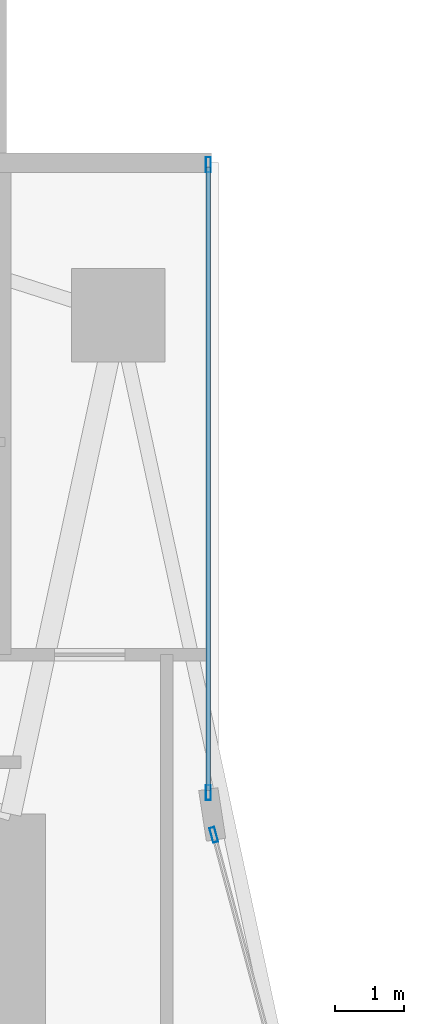
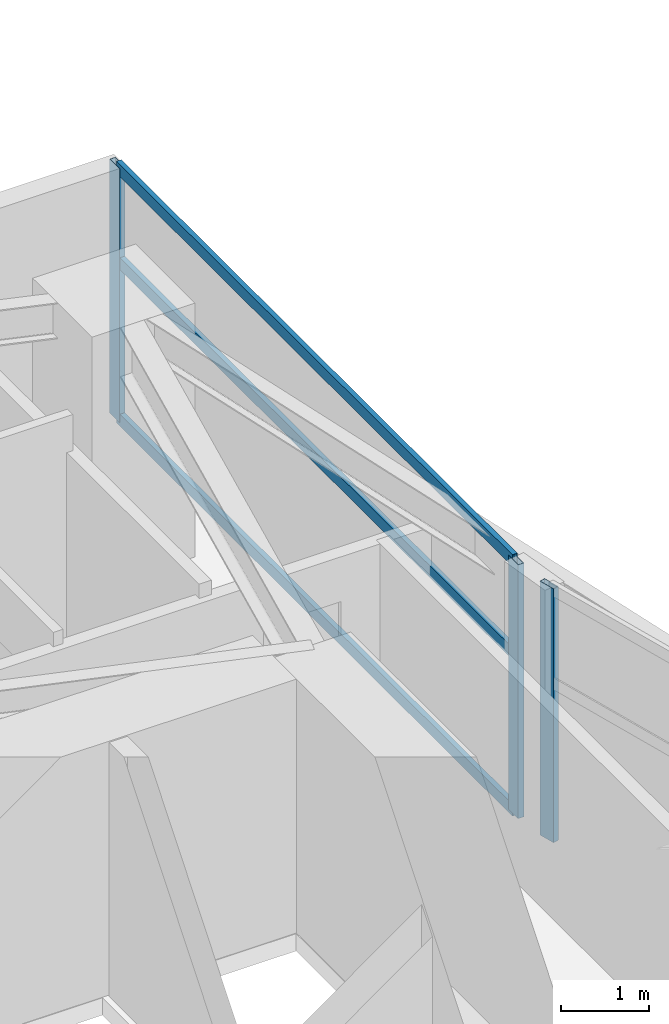
# One storey, part 17 of 28: 6 members, 2 elements without a shape of their own.
"""IFC4 building model written with IfcOpenShell, lengths in metres."""

from ifc_helpers import new_model, si_unit, direction, frame, origin, origin_2d, place, context, subcontext, project, spatial, hollow_rectangle, extrude, material, layer, layer_set, material_profile, profile_set, type_object, element, aggregate, save


model = new_model("IFC4")

# Units and contexts
model_context = context("Model", 3, precision=1e-05, world=origin(), true_north=direction((0.0, 1.0)))
body_context = subcontext(model_context, "Body", "Model", "MODEL_VIEW")
ifc_project = project(units=[si_unit("LENGTHUNIT", "METRE"), si_unit("AREAUNIT", "SQUARE_METRE"), si_unit("VOLUMEUNIT", "CUBIC_METRE"), si_unit("PLANEANGLEUNIT", "RADIAN"), si_unit("MASSUNIT", "GRAM", prefix="KILO")], contexts=[model_context])

# Site, building, storey
site_placement = place(None, origin())
site = spatial("IfcSite", under=ifc_project, at=site_placement, CompositionType="ELEMENT")
building_placement = place(site_placement, origin())
building = spatial("IfcBuilding", under=site, at=building_placement, Name="Calvorn Quay Hotel", CompositionType="ELEMENT")
storey_placement = place(building_placement, frame((0.0, 0.0, 88.800048828125)))
storey = spatial("IfcBuildingStorey", under=building, at=storey_placement, Name="L21", CompositionType="ELEMENT", Elevation=88.800048828125)

# Curtain wall, member
ifc_material_1 = material(Name="Pale Anodised Aluminium and Low-E Glass", Category="aluminium")
ifc_layer = layer(ifc_material_1, 0.219970703125)
ifc_layer_set = layer_set([ifc_layer], Name="CW-SYS-Z1")
curtain_wall_type = type_object("IfcCurtainWallType", Name="CW-SYS-Z1", PredefinedType="NOTDEFINED", material=ifc_layer_set)
curtain_wall_1_placement = place(storey_placement, origin())
curtain_wall_1 = element("IfcCurtainWall", 1, at=curtain_wall_1_placement, inside=storey, type_object=curtain_wall_type, Name="Inner Court Curtain Wall L21-IC1", PredefinedType="NOTDEFINED")
ifc_material_2 = material(Name="Pale Anodised Aluminium 6063-T6", Category="aluminium")
ifc_material_profile_1 = material_profile(ifc_material_2, hollow_rectangle(XDim=0.074951171875, YDim=0.219970703125, WallThickness=0.00439453125, at=origin_2d()), Name="ALU-M220x75x4.5")
ifc_profile_set_1 = profile_set([ifc_material_profile_1], Name="Pale Anodised Aluminium 6063-T6")
member_type_1 = type_object("IfcMemberType", Name="CW-SYS-Z1-MUL", PredefinedType="MULLION", material=ifc_profile_set_1)
member_1_placement = place(storey_placement, frame((17.9296875, 38.10107421875, 0.0), z_axis=(0.0, 0.0, 1.0), x_axis=(-0.96593652056, -0.25877913024, 0.0)))
member_1 = element("IfcMember", 2, at=member_1_placement, type_object=member_type_1, Name="CW-L21-IC1 mullion 2", PredefinedType="MULLION", context=body_context, shape_type="SweptSolid", body=[
    extrude(hollow_rectangle(XDim=0.074951171875, YDim=0.219970703125, WallThickness=0.00439453125, at=origin_2d()), origin(), (0.0, 0.0, 1.0), 3.52001953125),
])
aggregate(curtain_wall_1, [member_1])

# Curtain wall, members
curtain_wall_2_placement = place(storey_placement, origin())
curtain_wall_2 = element("IfcCurtainWall", 3, at=curtain_wall_2_placement, inside=storey, type_object=curtain_wall_type, Name="Inner Court Curtain Wall L21-IC2", PredefinedType="NOTDEFINED")
member_2_placement = place(storey_placement, frame((17.85009765625, 38.7099609375, 0.0), z_axis=(0.0, 0.0, 1.0), x_axis=(-1.0, 0.0, 0.0)))
member_2 = element("IfcMember", 4, at=member_2_placement, type_object=member_type_1, Name="CW-L21-IC2 mullion 1", PredefinedType="MULLION", context=body_context, shape_type="SweptSolid", body=[
    extrude(hollow_rectangle(XDim=0.074951171875, YDim=0.219970703125, WallThickness=0.00439453125, at=origin_2d()), origin(), (0.0, 0.0, 1.0), 3.52001953125),
])
member_3_placement = place(storey_placement, frame((17.85009765625, 47.77001953125, 0.0), z_axis=(0.0, 0.0, 1.0), x_axis=(-1.0, 0.0, 0.0)))
member_3 = element("IfcMember", 5, at=member_3_placement, type_object=member_type_1, Name="CW-L21-IC2 mullion 2", PredefinedType="MULLION", context=body_context, shape_type="SweptSolid", body=[
    extrude(hollow_rectangle(XDim=0.074951171875, YDim=0.219970703125, WallThickness=0.00439453125, at=origin_2d()), origin(), (0.0, 0.0, 1.0), 3.52001953125),
])
ifc_material_3 = material(Name="Pale Anodised Aluminium 6063-T6", Category="aluminium")
ifc_material_profile_2 = material_profile(ifc_material_3, hollow_rectangle(XDim=0.06494140625, YDim=0.1650390625, WallThickness=0.00341796875, at=origin_2d()), Name="ALU-T165x65x3.5")
ifc_profile_set_2 = profile_set([ifc_material_profile_2], Name="Pale Anodised Aluminium 6063-T6")
member_type_2 = type_object("IfcMemberType", Name="CW-SYS-Z1-TRN", PredefinedType="USERDEFINED", material=ifc_profile_set_2)
member_4_placement = place(storey_placement, frame((17.85009765625, 38.739990234375, 0.030029296875), z_axis=(0.0, 1.0, 0.0), x_axis=(-1.0, 0.0, 0.0)))
member_4 = element("IfcMember", 6, at=member_4_placement, type_object=member_type_2, Name="CW-L21-IC2 transom 1.1", ObjectType="TRANSOM", PredefinedType="USERDEFINED", context=body_context, shape_type="SweptSolid", body=[
    extrude(hollow_rectangle(XDim=0.06494140625, YDim=0.1650390625, WallThickness=0.00341796875, at=origin_2d()), origin(), (0.0, 0.0, 1.0), 9.0),
])
member_5_placement = place(storey_placement, frame((17.85009765625, 38.739990234375, 2.199951171875), z_axis=(0.0, 1.0, 0.0), x_axis=(-1.0, 0.0, 0.0)))
member_5 = element("IfcMember", 7, at=member_5_placement, type_object=member_type_2, Name="CW-L21-IC2 transom 1.2", ObjectType="TRANSOM", PredefinedType="USERDEFINED", context=body_context, shape_type="SweptSolid", body=[
    extrude(hollow_rectangle(XDim=0.06494140625, YDim=0.1650390625, WallThickness=0.00341796875, at=origin_2d()), origin(), (0.0, 0.0, 1.0), 9.0),
])
member_6_placement = place(storey_placement, frame((17.85009765625, 38.739990234375, 3.489990234375), z_axis=(0.0, 1.0, 0.0), x_axis=(-1.0, 0.0, 0.0)))
member_6 = element("IfcMember", 8, at=member_6_placement, type_object=member_type_2, Name="CW-L21-IC2 transom 1.3", ObjectType="TRANSOM", PredefinedType="USERDEFINED", context=body_context, shape_type="SweptSolid", body=[
    extrude(hollow_rectangle(XDim=0.06494140625, YDim=0.1650390625, WallThickness=0.00341796875, at=origin_2d()), origin(), (0.0, 0.0, 1.0), 9.0),
])
aggregate(curtain_wall_2, [member_2, member_3, member_4, member_5, member_6])

save(model, "model.ifc")
